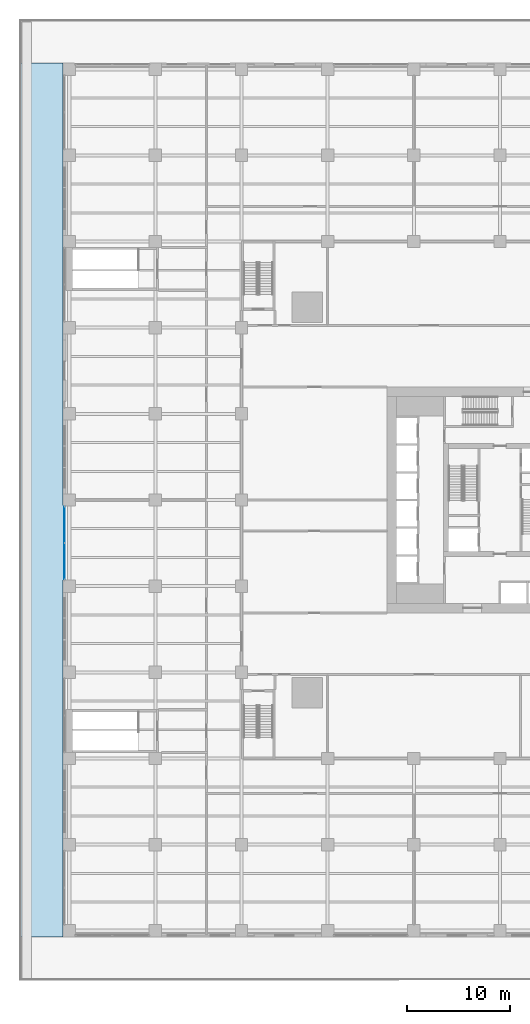
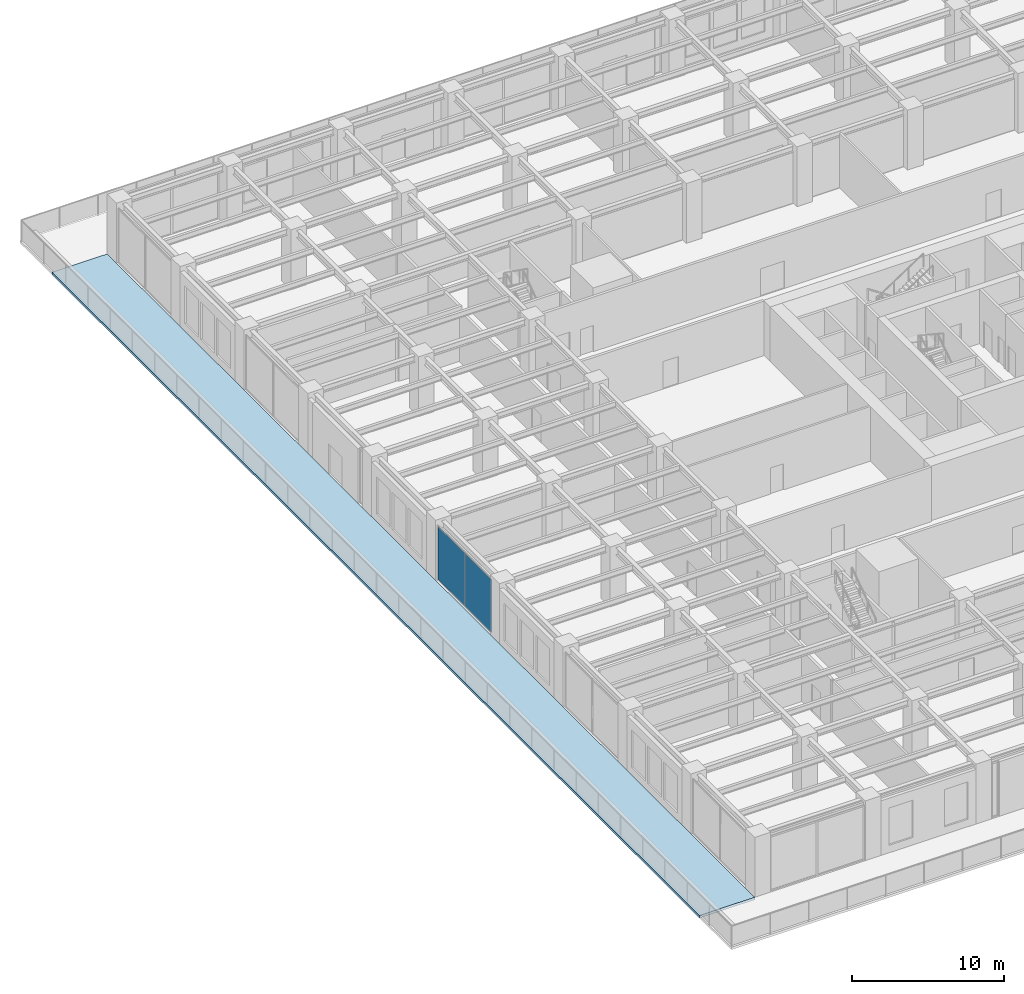
# One storey, part 25 of 53: 2 plates, 1 slab, 1 element without a shape of its own.
"""IFC4 building model written with IfcOpenShell, lengths in metres."""

from ifc_helpers import new_model, si_unit, direction, frame, origin, origin_2d, place, context, subcontext, project, spatial, polyline, rectangle, outline, extrude, material, layer, layer_set, type_object, element, aggregate, save


model = new_model("IFC4")

# Units and contexts
model_context = context("Model", 3, precision=1e-05, world=origin(), true_north=direction((0.0, 1.0)))
body_context = subcontext(model_context, "Body", "Model", "MODEL_VIEW")
ifc_project = project(units=[si_unit("LENGTHUNIT", "METRE"), si_unit("AREAUNIT", "SQUARE_METRE"), si_unit("VOLUMEUNIT", "CUBIC_METRE"), si_unit("PLANEANGLEUNIT", "RADIAN"), si_unit("MASSUNIT", "GRAM", prefix="KILO")], contexts=[model_context])

# Site, building, storey
site_placement = place(None, origin())
site = spatial("IfcSite", under=ifc_project, at=site_placement, CompositionType="ELEMENT")
building_placement = place(site_placement, origin())
building = spatial("IfcBuilding", under=site, at=building_placement, Name="Khepri Terraces", CompositionType="ELEMENT")
storey_placement = place(building_placement, frame((0.0, 0.0, 7.199951171875)))
storey = spatial("IfcBuildingStorey", under=building, at=storey_placement, Name="L01", CompositionType="ELEMENT", Elevation=7.199951171875)

# Curtain wall, plates
ifc_material_1 = material(Name="Anodised aluminium bronze curtain wall", Category="aluminium")
curtain_wall_type = type_object("IfcCurtainWallType", Name="CW-SYS2-PODIUM", PredefinedType="NOTDEFINED", material=ifc_material_1)
curtain_wall_placement = place(storey_placement, origin())
curtain_wall = element("IfcCurtainWall", 1, at=curtain_wall_placement, inside=storey, type_object=curtain_wall_type, Name="Curtain wall CW2 L01 W", PredefinedType="NOTDEFINED")
ifc_material_2 = material(Name="Clear glass", Category="glass")
ifc_layer_1 = layer(ifc_material_2, 0.028076171875, Name="Clear glass", Category="glass")
ifc_layer_set_1 = layer_set([ifc_layer_1], Name="Clear glass")
plate_type = type_object("IfcPlateType", Name="CW-PANEL-VISION-28", PredefinedType="CURTAIN_PANEL", material=ifc_layer_set_1)
plate_1_placement = place(storey_placement, frame((-42.449951171875, -2.4150390625, 0.06005859375), z_axis=(0.0, 0.0, 1.0), x_axis=(0.0, -1.0, 0.0)))
plate_1 = element("IfcPlate", 2, at=plate_1_placement, type_object=plate_type, Name="CW2 panel 1.1", PredefinedType="CURTAIN_PANEL", context=body_context, shape_type="SweptSolid", body=[
    extrude(rectangle(XDim=3.510009765625, YDim=0.028076171875, at=origin_2d()), origin(), (0.0, 0.0, 1.0), 4.260009765625),
])
plate_2_placement = place(storey_placement, frame((-42.449951171875, -5.985107421875, 0.06005859375), z_axis=(0.0, 0.0, 1.0), x_axis=(0.0, -1.0, 0.0)))
plate_2 = element("IfcPlate", 3, at=plate_2_placement, type_object=plate_type, Name="CW2 panel 2.1", PredefinedType="CURTAIN_PANEL", context=body_context, shape_type="SweptSolid", body=[
    extrude(rectangle(XDim=3.510009765625, YDim=0.028076171875, at=origin_2d()), origin(), (0.0, 0.0, 1.0), 4.260009765625),
])
aggregate(curtain_wall, [plate_1, plate_2])

# Slab
ifc_material_3 = material(Name="Concrete C35/45", Category="concrete")
ifc_layer_2 = layer(ifc_material_3, 0.199951171875, Name="Concrete C35/45", Category="concrete")
ifc_layer_set_2 = layer_set([ifc_layer_2], Name="Concrete C35/45")
slab_type = type_object("IfcSlabType", Name="Composite terrace slab 200", PredefinedType="ROOF", material=ifc_layer_set_2)
slab_placement = place(storey_placement, frame((0.0, 0.0, -0.199951171875)))
element("IfcSlab", 4, at=slab_placement, inside=storey, type_object=slab_type, Name="Terrace slab L01-podium-3", PredefinedType="ROOF", context=body_context, shape_type="SweptSolid", body=[
    extrude(outline(polyline([(-46.800048828125, 42.60009765625), (-42.60009765625, 42.60009765625), (-42.60009765625, -42.60009765625), (-46.800048828125, -42.60009765625), (-46.800048828125, 42.60009765625)])), origin(), (0.0, 0.0, 1.0), 0.199951171875),
])

save(model, "model.ifc")
